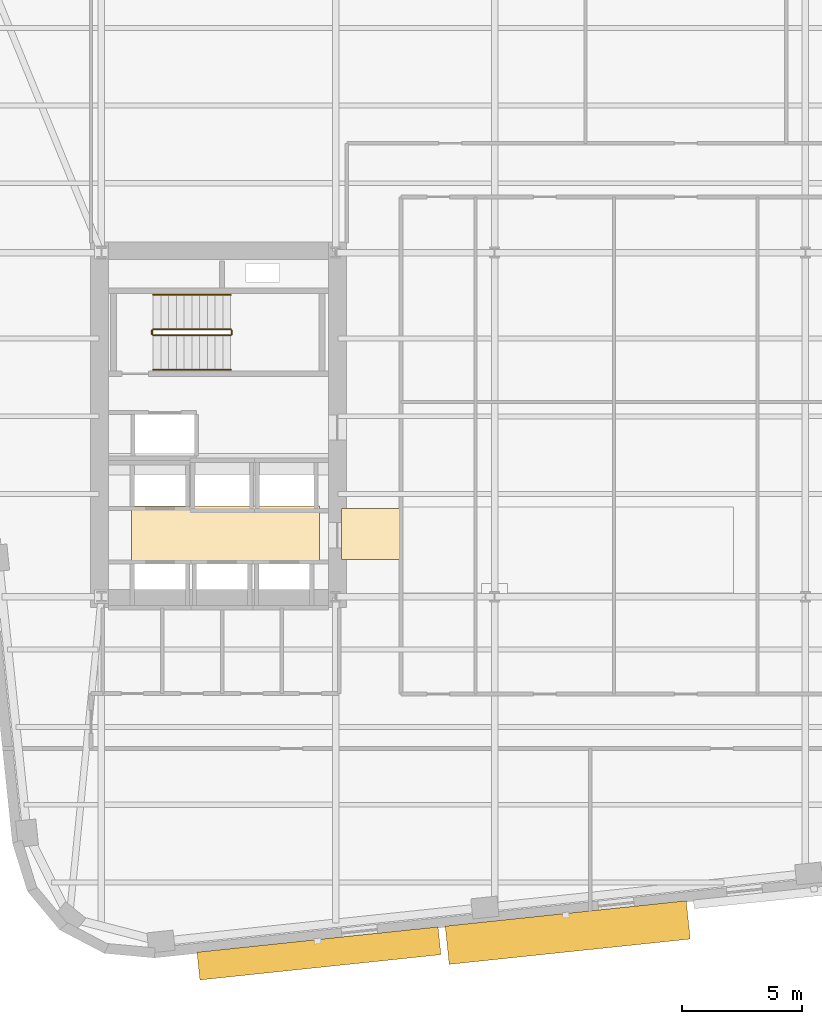
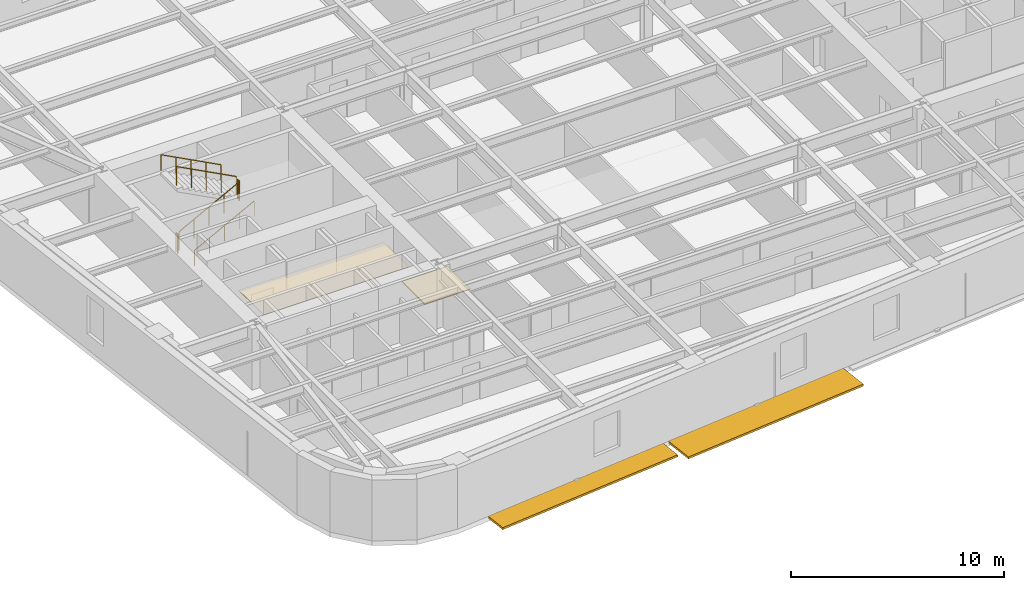
# One storey, part 9 of 12: 6 railings, 2 coverings, 2 shading devices.
"""IFC4 building model written with IfcOpenShell, lengths in metres."""

from ifc_helpers import new_model, si_unit, direction, frame, origin, origin_2d, place, context, subcontext, project, spatial, polyline, rectangle, circle, outline, extrude, material, layer, layer_set, type_object, element, save


model = new_model("IFC4")

# Units and contexts
model_context = context("Model", 3, precision=1e-05, world=origin(), true_north=direction((0.0, 1.0)))
body_context = subcontext(model_context, "Body", "Model", "MODEL_VIEW")
ifc_project = project(units=[si_unit("LENGTHUNIT", "METRE"), si_unit("AREAUNIT", "SQUARE_METRE"), si_unit("VOLUMEUNIT", "CUBIC_METRE"), si_unit("PLANEANGLEUNIT", "RADIAN"), si_unit("MASSUNIT", "GRAM", prefix="KILO")], contexts=[model_context])

# Site, building, storey
site_placement = place(None, origin())
site = spatial("IfcSite", under=ifc_project, at=site_placement, CompositionType="ELEMENT")
building_placement = place(site_placement, origin())
building = spatial("IfcBuilding", under=site, at=building_placement, Name="Kolvaren Arena Tower", CompositionType="ELEMENT")
storey_placement = place(building_placement, frame((0.0, 0.0, 138.25)))
storey = spatial("IfcBuildingStorey", under=building, at=storey_placement, Name="L32", CompositionType="ELEMENT", Elevation=138.25)

# Coverings
ifc_material_1 = material(Name="Moisture-resistant gypsum ceiling", Category="gypsum")
ifc_layer_1 = layer(ifc_material_1, 0.030029296875)
ifc_layer_set_1 = layer_set([ifc_layer_1], Name="Moisture-resistant gypsum ceiling")
covering_type_1 = type_object("IfcCoveringType", Name="CEIL-GYP-1", PredefinedType="CEILING", material=ifc_layer_set_1)
covering_1_placement = place(storey_placement, frame((0.0, 0.0, 2.52001953125)))
element("IfcCovering", 1, at=covering_1_placement, inside=storey, type_object=covering_type_1, Name="Suspended Ceiling (L32)", PredefinedType="CEILING", context=body_context, shape_type="SweptSolid", body=[
    extrude(outline(polyline([(15.820068359375, 20.89990234375), (15.820068359375, 23.239990234375), (23.679931640625, 23.239990234375), (23.679931640625, 20.89990234375), (15.820068359375, 20.89990234375)])), origin(), (0.0, 0.0, 1.0), 0.030029296875),
])
ifc_material_2 = material(Name="Raised access office floor finish", Category="aluminium")
ifc_layer_2 = layer(ifc_material_2, 0.044921875)
ifc_layer_set_2 = layer_set([ifc_layer_2], Name="Raised access office floor finish")
covering_type_2 = type_object("IfcCoveringType", Name="FLOR-RAF-1", PredefinedType="FLOORING", material=ifc_layer_set_2)
covering_2_placement = place(storey_placement, origin())
element("IfcCovering", 2, at=covering_2_placement, inside=storey, type_object=covering_type_2, Name="Floor Finish (L32)", PredefinedType="FLOORING", context=body_context, shape_type="SweptSolid", body=[
    extrude(outline(polyline([(24.60009765625, 21.0), (24.60009765625, 23.14990234375), (27.080078125, 23.14990234375), (27.080078125, 21.0), (24.60009765625, 21.0)])), origin(), (0.0, 0.0, 1.0), 0.044921875),
])

# Railings
ifc_material_3 = material(Name="Painted galvanized steel", Category="steel")
railing_type_1 = type_object("IfcRailingType", Name="GUARD-ST-110", PredefinedType="GUARDRAIL", material=ifc_material_3)
railing_1_placement = place(storey_placement, frame((16.719970703125, 30.389892578125, 0.17041015625)))
element("IfcRailing", 3, at=railing_1_placement, inside=storey, type_object=railing_type_1, Name="L32 ST-W1 stair guard 1", PredefinedType="GUARDRAIL", context=body_context, shape_type="SweptSolid", body=[
    extrude(circle(Radius=0.02392578125, at=origin_2d()), frame((0.0, 0.0, 1.076171875), z_axis=(0.884993431791, 0.0, 0.465603506952), x_axis=(0.0, 1.0, 0.0)), (0.0, 0.0, 1.0), 3.6611328125),
    extrude(circle(Radius=0.02099609375, at=origin_2d()), origin(), (0.0, 0.0, 1.0), 1.052001953125),
    extrude(circle(Radius=0.02099609375, at=origin_2d()), frame((0.81005859375, 0.0, 0.42626953125)), (0.0, 0.0, 1.0), 1.052001953125),
    extrude(circle(Radius=0.02099609375, at=origin_2d()), frame((1.6201171875, 0.0, 0.852294921875)), (0.0, 0.0, 1.0), 1.052001953125),
    extrude(circle(Radius=0.02099609375, at=origin_2d()), frame((2.429931640625, 0.0, 1.2783203125)), (0.0, 0.0, 1.0), 1.052001953125),
    extrude(circle(Radius=0.02099609375, at=origin_2d()), frame((3.239990234375, 0.0, 1.70458984375)), (0.0, 0.0, 1.0), 1.052001953125),
])
railing_2_placement = place(storey_placement, frame((20.010009765625, 30.43994140625, 1.875)))
element("IfcRailing", 4, at=railing_2_placement, inside=storey, type_object=railing_type_1, Name="L32 ST-W1 stair guard 2", PredefinedType="GUARDRAIL", context=body_context, shape_type="SweptSolid", body=[
    extrude(circle(Radius=0.02392578125, at=origin_2d()), frame((0.0, 0.0, 1.076171875), z_axis=(0.0, 1.0, 0.0), x_axis=(-1.0, 0.0, 0.0)), (0.0, 0.0, 1.0), 0.150146484375),
    extrude(circle(Radius=0.02099609375, at=origin_2d()), origin(), (0.0, 0.0, 1.0), 1.052001953125),
    extrude(circle(Radius=0.02099609375, at=origin_2d()), frame((0.0, 0.150146484375, 0.0)), (0.0, 0.0, 1.0), 1.052001953125),
])
railing_3_placement = place(storey_placement, frame((19.9599609375, 30.639892578125, 2.04541015625)))
element("IfcRailing", 5, at=railing_3_placement, inside=storey, type_object=railing_type_1, Name="L32 ST-W1 stair guard 3", PredefinedType="GUARDRAIL", context=body_context, shape_type="SweptSolid", body=[
    extrude(circle(Radius=0.02392578125, at=origin_2d()), frame((0.0, 0.0, 1.076171875), z_axis=(-0.884993431791, 0.0, 0.465603506952), x_axis=(0.0, -1.0, 0.0)), (0.0, 0.0, 1.0), 3.6611328125),
    extrude(circle(Radius=0.02099609375, at=origin_2d()), origin(), (0.0, 0.0, 1.0), 1.052001953125),
    extrude(circle(Radius=0.02099609375, at=origin_2d()), frame((-0.81005859375, 0.0, 0.42626953125)), (0.0, 0.0, 1.0), 1.052001953125),
    extrude(circle(Radius=0.02099609375, at=origin_2d()), frame((-1.6201171875, 0.0, 0.852294921875)), (0.0, 0.0, 1.0), 1.052001953125),
    extrude(circle(Radius=0.02099609375, at=origin_2d()), frame((-2.429931640625, 0.0, 1.2783203125)), (0.0, 0.0, 1.0), 1.052001953125),
    extrude(circle(Radius=0.02099609375, at=origin_2d()), frame((-3.239990234375, 0.0, 1.70458984375)), (0.0, 0.0, 1.0), 1.052001953125),
])
railing_4_placement = place(storey_placement, frame((16.669921875, 30.43994140625, 0.0)))
element("IfcRailing", 6, at=railing_4_placement, inside=storey, type_object=railing_type_1, Name="L32 ST-W1 stair guard 4", PredefinedType="GUARDRAIL", context=body_context, shape_type="SweptSolid", body=[
    extrude(circle(Radius=0.02392578125, at=origin_2d()), frame((0.0, 0.0, 1.076171875), z_axis=(0.0, 1.0, 0.0), x_axis=(-1.0, 0.0, 0.0)), (0.0, 0.0, 1.0), 0.150146484375),
    extrude(circle(Radius=0.02099609375, at=origin_2d()), origin(), (0.0, 0.0, 1.0), 1.052001953125),
    extrude(circle(Radius=0.02099609375, at=origin_2d()), frame((0.0, 0.150146484375, 0.0)), (0.0, 0.0, 1.0), 1.052001953125),
])
ifc_material_4 = material(Name="Brushed stainless steel handrail", Category="steel")
railing_type_2 = type_object("IfcRailingType", Name="HRAIL-900", PredefinedType="HANDRAIL", material=ifc_material_4)
railing_5_placement = place(storey_placement, frame((16.719970703125, 28.949951171875, 0.17041015625)))
element("IfcRailing", 7, at=railing_5_placement, inside=storey, type_object=railing_type_2, Name="L32 ST-W1 stair handrail 1", PredefinedType="HANDRAIL", context=body_context, shape_type="SweptSolid", body=[
    extrude(circle(Radius=0.02392578125, at=origin_2d()), frame((0.0, 0.0, 0.8759765625), z_axis=(0.884993431791, 0.0, 0.465603506952), x_axis=(0.0, 1.0, 0.0)), (0.0, 0.0, 1.0), 3.6611328125),
    extrude(circle(Radius=0.02099609375, at=origin_2d()), origin(), (0.0, 0.0, 1.0), 0.851806640625),
    extrude(circle(Radius=0.02099609375, at=origin_2d()), frame((0.81005859375, 0.0, 0.42626953125)), (0.0, 0.0, 1.0), 0.851806640625),
    extrude(circle(Radius=0.02099609375, at=origin_2d()), frame((1.6201171875, 0.0, 0.852294921875)), (0.0, 0.0, 1.0), 0.851806640625),
    extrude(circle(Radius=0.02099609375, at=origin_2d()), frame((2.429931640625, 0.0, 1.2783203125)), (0.0, 0.0, 1.0), 0.851806640625),
    extrude(circle(Radius=0.02099609375, at=origin_2d()), frame((3.239990234375, 0.0, 1.70458984375)), (0.0, 0.0, 1.0), 0.851806640625),
])
railing_6_placement = place(storey_placement, frame((19.9599609375, 32.080078125, 2.04541015625)))
element("IfcRailing", 8, at=railing_6_placement, inside=storey, type_object=railing_type_2, Name="L32 ST-W1 stair handrail 2", PredefinedType="HANDRAIL", context=body_context, shape_type="SweptSolid", body=[
    extrude(circle(Radius=0.02392578125, at=origin_2d()), frame((0.0, 0.0, 0.8759765625), z_axis=(-0.884993431791, 0.0, 0.465603506952), x_axis=(0.0, -1.0, 0.0)), (0.0, 0.0, 1.0), 3.6611328125),
    extrude(circle(Radius=0.02099609375, at=origin_2d()), origin(), (0.0, 0.0, 1.0), 0.851806640625),
    extrude(circle(Radius=0.02099609375, at=origin_2d()), frame((-0.81005859375, 0.0, 0.42626953125)), (0.0, 0.0, 1.0), 0.851806640625),
    extrude(circle(Radius=0.02099609375, at=origin_2d()), frame((-1.6201171875, 0.0, 0.852294921875)), (0.0, 0.0, 1.0), 0.851806640625),
    extrude(circle(Radius=0.02099609375, at=origin_2d()), frame((-2.429931640625, 0.0, 1.2783203125)), (0.0, 0.0, 1.0), 0.851806640625),
    extrude(circle(Radius=0.02099609375, at=origin_2d()), frame((-3.239990234375, 0.0, 1.70458984375)), (0.0, 0.0, 1.0), 0.851806640625),
])

# Shading devices
ifc_material_5 = material(Name="Architectural precast GFRC and anodised aluminium sunshade", Category="concrete")
shading_device_type_1 = type_object("IfcShadingDeviceType", Name="SHAD-SINE-A", PredefinedType="USERDEFINED", material=ifc_material_5)
shading_device_1_placement = place(storey_placement, frame((23.654052734375, 4.5283203125, -0.14013671875), z_axis=(0.0, 0.0, 1.0), x_axis=(-0.994522077803, -0.104526727499, 0.0)))
element("IfcShadingDevice", 9, at=shading_device_1_placement, inside=storey, type_object=shading_device_type_1, Name="Sinusoidal Slab-Edge Sunshade Louvre (L32)", ObjectType="LOUVRE", PredefinedType="USERDEFINED", context=body_context, shape_type="SweptSolid", body=[
    extrude(rectangle(XDim=10.139892578125, YDim=1.168701171875, at=origin_2d()), origin(), (0.0, 0.0, 1.0), 0.1201171875),
])
shading_device_type_2 = type_object("IfcShadingDeviceType", Name="SHAD-SINE-B", PredefinedType="JALOUSIE", material=ifc_material_5)
shading_device_2_placement = place(storey_placement, frame((34.059814453125, 5.400390625, -0.14013671875), z_axis=(0.0, 0.0, 1.0), x_axis=(-0.994522077803, -0.104526727499, 0.0)))
element("IfcShadingDevice", 10, at=shading_device_2_placement, inside=storey, type_object=shading_device_type_2, Name="Sinusoidal Slab-Edge Sunshade Louvre (L32)", PredefinedType="JALOUSIE", context=body_context, shape_type="SweptSolid", body=[
    extrude(rectangle(XDim=10.139892578125, YDim=1.609375, at=origin_2d()), origin(), (0.0, 0.0, 1.0), 0.1201171875),
])

save(model, "model.ifc")
